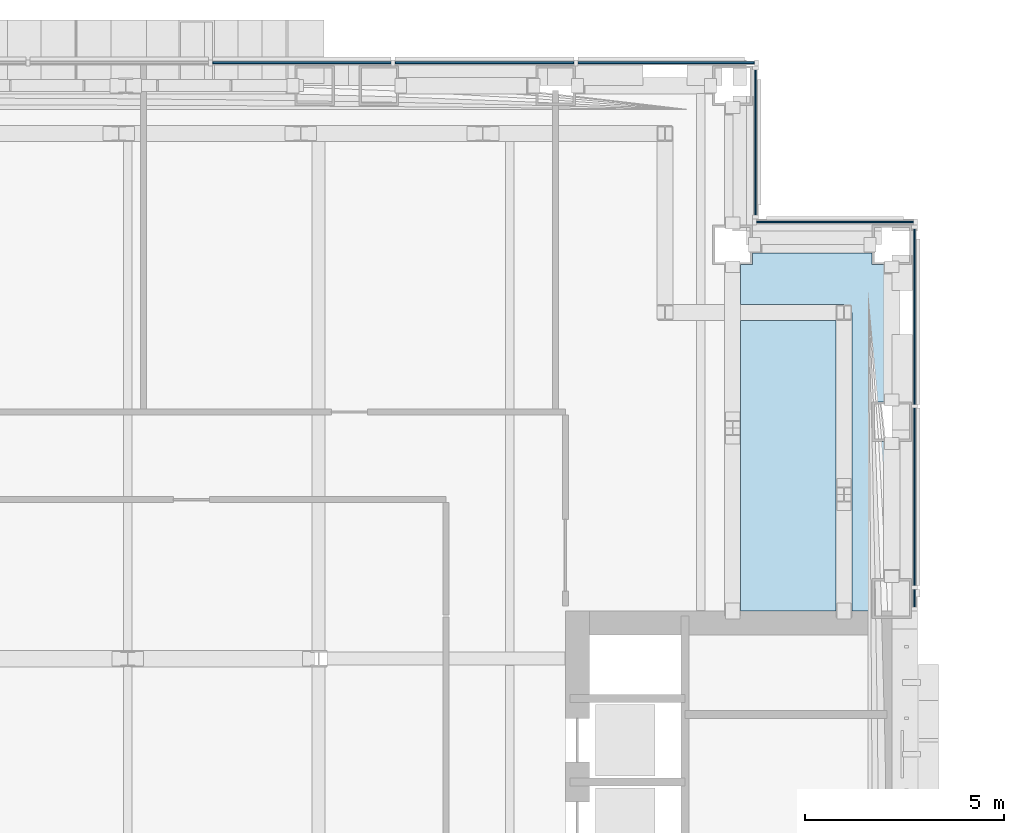
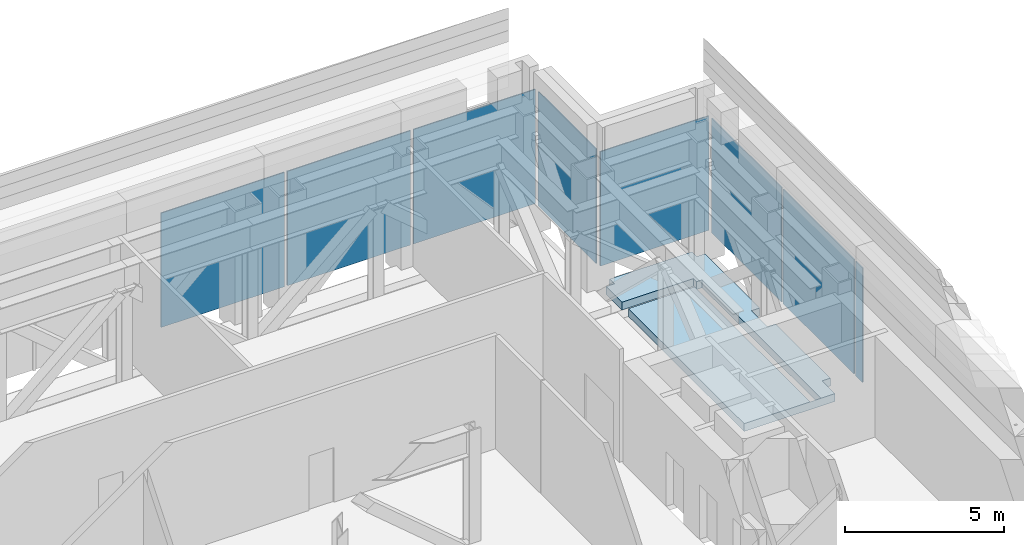
# One storey, part 16 of 39: 8 plates, 1 slab, 4 elements without a shape of their own.
"""IFC4 building model written with IfcOpenShell, lengths in metres."""

from ifc_helpers import new_model, si_unit, direction, frame, origin, origin_2d, place, context, subcontext, project, spatial, polyline, rectangle, outline, extrude, material, layer, layer_set, type_object, element, aggregate, save


model = new_model("IFC4")

# Units and contexts
model_context = context("Model", 3, precision=1e-05, world=origin(), true_north=direction((0.0, 1.0)))
body_context = subcontext(model_context, "Body", "Model", "MODEL_VIEW")
ifc_project = project(units=[si_unit("LENGTHUNIT", "METRE"), si_unit("AREAUNIT", "SQUARE_METRE"), si_unit("VOLUMEUNIT", "CUBIC_METRE"), si_unit("PLANEANGLEUNIT", "RADIAN"), si_unit("MASSUNIT", "GRAM", prefix="KILO")], contexts=[model_context])

# Site, building, storey
site_placement = place(None, origin())
site = spatial("IfcSite", under=ifc_project, at=site_placement, CompositionType="ELEMENT")
building_placement = place(site_placement, origin())
building = spatial("IfcBuilding", under=site, at=building_placement, Name="Cobrizo Arcos Hotel Tower", CompositionType="ELEMENT")
storey_placement = place(building_placement, frame((0.0, 0.0, 84.5)))
storey = spatial("IfcBuildingStorey", under=building, at=storey_placement, Name="L20", CompositionType="ELEMENT", Elevation=84.5)

# Curtain wall, plates
ifc_material_1 = material(Name="Aluminium 6063-T6 anodised bronze", Category="aluminium")
curtain_wall_type = type_object("IfcCurtainWallType", Name="CW-D plant louvre wall", PredefinedType="NOTDEFINED", material=ifc_material_1)
curtain_wall_1_placement = place(storey_placement, origin())
curtain_wall_1 = element("IfcCurtainWall", 1, at=curtain_wall_1_placement, inside=storey, type_object=curtain_wall_type, Name="CW-D L20 E face", PredefinedType="NOTDEFINED")
ifc_material_2 = material(Name="Aluminium composite panel pale metal", Category="aluminium")
ifc_layer_1 = layer(ifc_material_2, 0.06005859375)
ifc_layer_set_1 = layer_set([ifc_layer_1], Name="CW-D spandrel panel")
plate_type = type_object("IfcPlateType", Name="CW-D spandrel panel", PredefinedType="CURTAIN_PANEL", material=ifc_layer_set_1)
plate_1_placement = place(storey_placement, frame((24.574951171875, 11.119384765625, 0.0), z_axis=(0.0, 0.0, 1.0), x_axis=(0.0, 1.0, 0.0)))
plate_1 = element("IfcPlate", 2, at=plate_1_placement, type_object=plate_type, Name="CW-D insulated panel 827", PredefinedType="CURTAIN_PANEL", context=body_context, shape_type="SweptSolid", body=[
    extrude(rectangle(XDim=0.43896484375, YDim=0.0400390625, at=origin_2d()), origin(), (0.0, 0.0, 1.0), 4.39990234375),
])
plate_2_placement = place(storey_placement, frame((24.574951171875, 13.666748046875, 0.0), z_axis=(0.0, 0.0, 1.0), x_axis=(0.0, 1.0, 0.0)))
plate_2 = element("IfcPlate", 3, at=plate_2_placement, type_object=plate_type, Name="CW-D insulated panel 828", PredefinedType="CURTAIN_PANEL", context=body_context, shape_type="SweptSolid", body=[
    extrude(rectangle(XDim=4.45556640625, YDim=0.0400390625, at=origin_2d()), origin(), (0.0, 0.0, 1.0), 4.39990234375),
])
plate_3_placement = place(storey_placement, frame((24.574951171875, 18.197265625, 0.0), z_axis=(0.0, 0.0, 1.0), x_axis=(0.0, 1.0, 0.0)))
plate_3 = element("IfcPlate", 4, at=plate_3_placement, type_object=plate_type, Name="CW-D insulated panel 829", PredefinedType="CURTAIN_PANEL", context=body_context, shape_type="SweptSolid", body=[
    extrude(rectangle(XDim=4.405517578125, YDim=0.0400390625, at=origin_2d()), origin(), (0.0, 0.0, 1.0), 4.39990234375),
])
aggregate(curtain_wall_1, [plate_1, plate_2, plate_3])

# Curtain wall, plate
curtain_wall_2_placement = place(storey_placement, origin())
curtain_wall_2 = element("IfcCurtainWall", 5, at=curtain_wall_2_placement, inside=storey, type_object=curtain_wall_type, Name="CW-D L20 N face", PredefinedType="NOTDEFINED")
plate_4_placement = place(storey_placement, frame((22.574951171875, 20.574951171875, 0.0), z_axis=(0.0, 0.0, 1.0), x_axis=(-1.0, 0.0, 0.0)))
plate_4 = element("IfcPlate", 6, at=plate_4_placement, type_object=plate_type, Name="CW-D insulated panel 830", PredefinedType="CURTAIN_PANEL", context=body_context, shape_type="SweptSolid", body=[
    extrude(rectangle(XDim=3.949951171875, YDim=0.0400390625, at=origin_2d()), origin(), (0.0, 0.0, 1.0), 4.39990234375),
])
aggregate(curtain_wall_2, [plate_4])

curtain_wall_3_placement = place(storey_placement, origin())
curtain_wall_3 = element("IfcCurtainWall", 7, at=curtain_wall_3_placement, inside=storey, type_object=curtain_wall_type, Name="CW-D L20 E face", PredefinedType="NOTDEFINED")
plate_5_placement = place(storey_placement, frame((20.574951171875, 22.574951171875, 0.0), z_axis=(0.0, 0.0, 1.0), x_axis=(0.0, 1.0, 0.0)))
plate_5 = element("IfcPlate", 8, at=plate_5_placement, type_object=plate_type, Name="CW-D insulated panel 831", PredefinedType="CURTAIN_PANEL", context=body_context, shape_type="SweptSolid", body=[
    extrude(rectangle(XDim=3.64990234375, YDim=0.0400390625, at=origin_2d()), origin(), (0.0, 0.0, 1.0), 4.39990234375),
])
aggregate(curtain_wall_3, [plate_5])

# Curtain wall, plates
curtain_wall_4_placement = place(storey_placement, origin())
curtain_wall_4 = element("IfcCurtainWall", 9, at=curtain_wall_4_placement, inside=storey, type_object=curtain_wall_type, Name="CW-D L20 N face", PredefinedType="NOTDEFINED")
plate_6_placement = place(storey_placement, frame((18.33056640625, 24.574951171875, 0.0), z_axis=(0.0, 0.0, 1.0), x_axis=(-1.0, 0.0, 0.0)))
plate_6 = element("IfcPlate", 10, at=plate_6_placement, type_object=plate_type, Name="CW-D insulated panel 832", PredefinedType="CURTAIN_PANEL", context=body_context, shape_type="SweptSolid", body=[
    extrude(rectangle(XDim=4.43896484375, YDim=0.0400390625, at=origin_2d()), origin(), (0.0, 0.0, 1.0), 4.39990234375),
])
plate_7_placement = place(storey_placement, frame((13.7666015625, 24.574951171875, 0.0), z_axis=(0.0, 0.0, 1.0), x_axis=(-1.0, 0.0, 0.0)))
plate_7 = element("IfcPlate", 11, at=plate_7_placement, type_object=plate_type, Name="CW-D insulated panel 833", PredefinedType="CURTAIN_PANEL", context=body_context, shape_type="SweptSolid", body=[
    extrude(rectangle(XDim=4.48876953125, YDim=0.0400390625, at=origin_2d()), origin(), (0.0, 0.0, 1.0), 4.39990234375),
])
plate_8_placement = place(storey_placement, frame((9.177734375, 24.574951171875, 0.0), z_axis=(0.0, 0.0, 1.0), x_axis=(-1.0, 0.0, 0.0)))
plate_8 = element("IfcPlate", 12, at=plate_8_placement, type_object=plate_type, Name="CW-D insulated panel 834", PredefinedType="CURTAIN_PANEL", context=body_context, shape_type="SweptSolid", body=[
    extrude(rectangle(XDim=4.48876953125, YDim=0.0400390625, at=origin_2d()), origin(), (0.0, 0.0, 1.0), 4.39990234375),
])
aggregate(curtain_wall_4, [plate_6, plate_7, plate_8])

# Slab
ifc_material_3 = material(Name="Concrete f'c 35 MPa", Category="concrete")
ifc_layer_2 = layer(ifc_material_3, 0.300048828125)
ifc_layer_set_2 = layer_set([ifc_layer_2], Name="Composite floor slab 300 f'c 35")
slab_type = type_object("IfcSlabType", Name="Composite floor slab 300 f'c 35", PredefinedType="FLOOR", material=ifc_layer_set_2)
slab_placement = place(storey_placement, frame((0.0, 0.0, -0.300048828125)))
element("IfcSlab", 13, at=slab_placement, inside=storey, type_object=slab_type, Name="Floor slab S2, L20, no. 07", PredefinedType="FLOOR", context=body_context, shape_type="SweptSolid", body=[
    extrude(outline(polyline([(23.5, 11.611083984375), (23.5, 10.800048828125), (20.200439453125, 10.800048828125), (20.200439453125, 18.099609375), (22.599609375, 18.099609375), (22.599609375, 10.801025390625), (23.00048828125, 10.801025390625), (23.00048828125, 18.300048828125), (22.800048828125, 18.300048828125), (22.800048828125, 18.50048828125), (20.200439453125, 18.50048828125), (20.200439453125, 19.5), (20.5, 19.5), (20.5, 19.799560546875), (23.5, 19.799560546875), (23.5, 19.5), (23.799560546875, 19.5), (23.799560546875, 16.055908203125), (23.5, 16.055908203125), (23.5, 15.055908203125), (23.799560546875, 15.055908203125), (23.799560546875, 11.611083984375), (23.5, 11.611083984375)])), origin(), (0.0, 0.0, 1.0), 0.300048828125),
])

save(model, "model.ifc")
